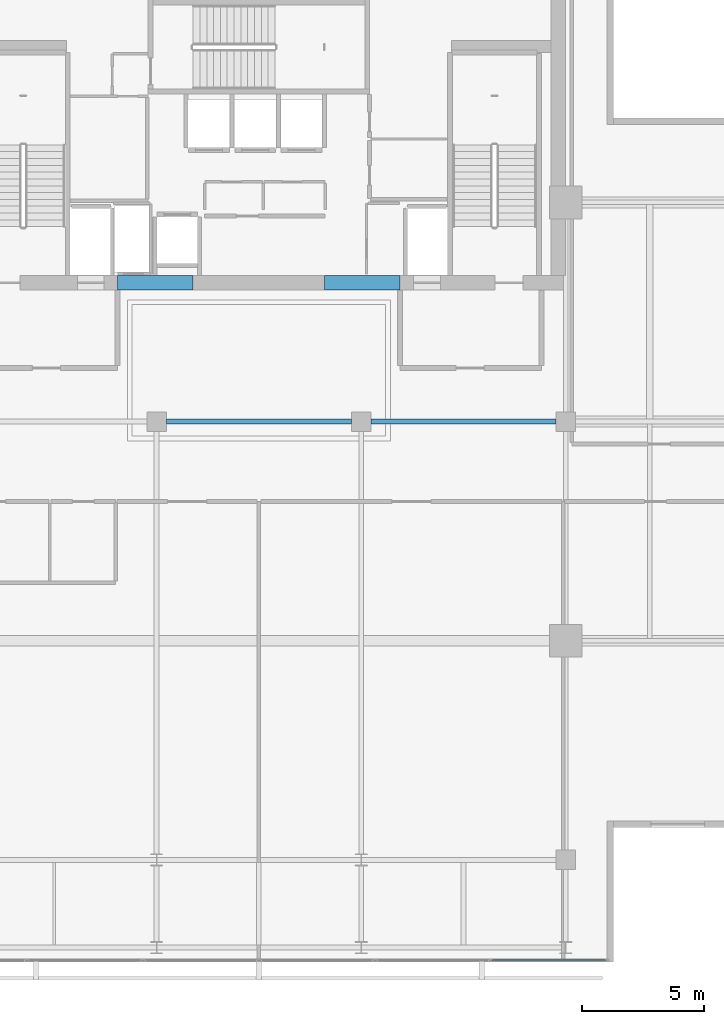
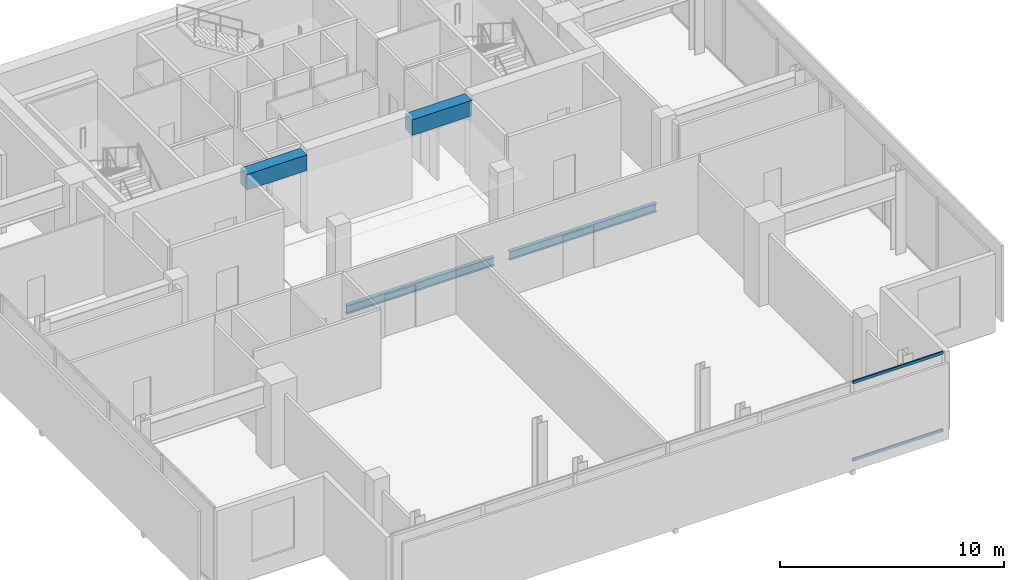
# One storey, part 10 of 23: 4 beams, 2 members, 1 element without a shape of its own.
"""IFC4 building model written with IfcOpenShell, lengths in metres."""

import ifcopenshell
import ifcopenshell.guid

model = None  # the IFC model being written
_history = None  # IfcOwnerHistory: only IFC2X3 demands one
_inside = {}  # id of a spatial element -> (the spatial element, [elements in it])
_under = {}  # id of a project, library or spatial element -> (it, [spatial elements below it])
_declared = {}  # id of a project -> (the project, [libraries it declares])
_typed = {}  # id of a type object -> (the type object, [elements of that type])
_made_of = {}  # id of a material, layer set ... -> (it, [elements and type objects made of it])


def new_model(schema):
    """Start an empty IFC model of exactly this schema.

    Asked for "IFC4X3", IfcOpenShell would pick the latest addendum, in which some entities
    have other attributes; the version numbers below select the first issue.
    IFC2X3 requires an IfcOwnerHistory on every rooted entity: one is made here for all.
    """
    global model, _history
    if schema == "IFC4X3":
        model = ifcopenshell.file(schema_version=(4, 3, 0, 0))
    else:
        model = ifcopenshell.file(schema=schema)
    _inside.clear()
    _under.clear()
    _declared.clear()
    _typed.clear()
    _made_of.clear()
    _history = None
    if model.schema == "IFC2X3":
        org = make("IfcOrganization", Name="unknown")
        user = make(
            "IfcPersonAndOrganization",
            ThePerson=make("IfcPerson", FamilyName="unknown"),
            TheOrganization=org,
        )
        app = make(
            "IfcApplication",
            ApplicationDeveloper=org,
            Version="unknown",
            ApplicationFullName="unknown",
            ApplicationIdentifier="unknown",
        )
        _history = make(
            "IfcOwnerHistory",
            OwningUser=user,
            OwningApplication=app,
            ChangeAction="ADDED",
            CreationDate=0,
        )
    return model


def make(cls, **values):
    """One entity of the class cls with the attributes given. An attribute that is None is left unset."""
    return model.create_entity(
        cls, **{name: value for name, value in values.items() if value is not None}
    )


def rooted(cls, **values):
    """An entity with a GlobalId (a new one), such as an element, a storey or a relation."""
    return make(cls, GlobalId=ifcopenshell.guid.new(), OwnerHistory=_history, **values)


def si_unit(unit_type, name, prefix=None):
    """IfcSIUnit, for example si_unit("LENGTHUNIT", "METRE", prefix="MILLI")."""
    return make("IfcSIUnit", UnitType=unit_type, Prefix=prefix, Name=name)


def assignment(units):
    """IfcUnitAssignment: the units of a project."""
    return None if units is None else make("IfcUnitAssignment", Units=units)


def point(xyz):
    """IfcCartesianPoint."""
    return None if xyz is None else make("IfcCartesianPoint", Coordinates=xyz)


def direction(xyz):
    """IfcDirection."""
    return None if xyz is None else make("IfcDirection", DirectionRatios=xyz)


def frame(location, z_axis=None, x_axis=None):
    """IfcAxis2Placement3D, a coordinate frame: its origin and axes. An axis left out is left unset."""
    return make(
        "IfcAxis2Placement3D",
        Location=point(location),
        Axis=direction(z_axis),
        RefDirection=direction(x_axis),
    )


def frame_2d(location, x_axis=None):
    """IfcAxis2Placement2D, a coordinate frame in the plane: its origin and x axis."""
    return make(
        "IfcAxis2Placement2D", Location=point(location), RefDirection=direction(x_axis)
    )


def origin():
    """The frame at (0, 0, 0) with its axes left unset."""
    return frame((0.0, 0.0, 0.0))


def origin_2d():
    """The frame at (0, 0) in the plane with its x axis left unset."""
    return frame_2d((0.0, 0.0))


def place(relative_to, where):
    """IfcLocalPlacement: puts the frame where relative to a parent placement (None: the world)."""
    return make(
        "IfcLocalPlacement", PlacementRelTo=relative_to, RelativePlacement=where
    )


def context(
    kind, dimensions, precision=None, world=None, true_north=None, identifier=None
):
    """IfcGeometricRepresentationContext, for example the 3D "Model" context."""
    return make(
        "IfcGeometricRepresentationContext",
        ContextIdentifier=identifier,
        ContextType=kind,
        CoordinateSpaceDimension=dimensions,
        Precision=precision,
        WorldCoordinateSystem=world,
        TrueNorth=true_north,
    )


def subcontext(parent, identifier, kind, view, scale=None):
    """IfcGeometricRepresentationSubContext, for example "Body" below "Model"."""
    return make(
        "IfcGeometricRepresentationSubContext",
        ContextIdentifier=identifier,
        ContextType=kind,
        ParentContext=parent,
        TargetScale=scale,
        TargetView=view,
    )


def project(units=None, contexts=None):
    """IfcProject with its units and contexts."""
    return rooted(
        "IfcProject",
        Name="project",
        RepresentationContexts=contexts,
        UnitsInContext=assignment(units),
    )


def spatial(cls, under=None, at=None, **own):
    """A site, building, storey or space (cls), placed at a placement, below another one or the project."""
    s = rooted(cls, ObjectPlacement=at, **own)
    if under is not None:
        _under.setdefault(under.id(), (under, []))[1].append(s)
    return s


def profile(cls, at=None, kind="AREA", **sizes):
    """A parametric profile (cls). Its sizes go by their IFC names, for example OverallWidth=200.0."""
    return make(cls, ProfileType=kind, Position=at, **sizes)


def rectangle(**sizes):
    """IfcRectangleProfileDef."""
    return profile("IfcRectangleProfileDef", **sizes)


def hollow_rectangle(**sizes):
    """IfcRectangleHollowProfileDef."""
    return profile("IfcRectangleHollowProfileDef", **sizes)


def i_section(**sizes):
    """IfcIShapeProfileDef."""
    return profile("IfcIShapeProfileDef", **sizes)


def extrude(swept, where, along, depth):
    """IfcExtrudedAreaSolid: the profile swept, set in the frame where, extruded along a direction by depth."""
    return make(
        "IfcExtrudedAreaSolid",
        SweptArea=swept,
        Position=where,
        ExtrudedDirection=direction(along),
        Depth=depth,
    )


def shape(context_of_items, identifier, shape_type, items):
    """IfcShapeRepresentation: the items that make up one representation, for example the "Body"."""
    return make(
        "IfcShapeRepresentation",
        ContextOfItems=context_of_items,
        RepresentationIdentifier=identifier,
        RepresentationType=shape_type,
        Items=items,
    )


def material(Name=None, Category=None):
    """IfcMaterial."""
    return make("IfcMaterial", Name=Name, Category=Category)


def layer(
    of_material, thickness, ventilated=None, Name=None, Category=None, Priority=None
):
    """IfcMaterialLayer: one layer of a wall or slab, of a material (None: an air gap)."""
    return make(
        "IfcMaterialLayer",
        Material=of_material,
        LayerThickness=thickness,
        IsVentilated=ventilated,
        Name=Name,
        Category=Category,
        Priority=Priority,
    )


def layer_set(layers, Name=None):
    """IfcMaterialLayerSet."""
    return make("IfcMaterialLayerSet", MaterialLayers=layers, LayerSetName=Name)


def material_profile(
    of_material, cross_section, Name=None, Category=None, Priority=None
):
    """IfcMaterialProfile: a cross section and its material."""
    return make(
        "IfcMaterialProfile",
        Name=Name,
        Material=of_material,
        Profile=cross_section,
        Priority=Priority,
        Category=Category,
    )


def profile_set(profiles, Name=None, composite=None):
    """IfcMaterialProfileSet."""
    return make(
        "IfcMaterialProfileSet",
        Name=Name,
        MaterialProfiles=profiles,
        CompositeProfile=composite,
    )


def made_of(thing, what):
    """Note that an element or type object is made of a material, layer set ...; save() writes the relation."""
    if what is not None:
        _made_of.setdefault(what.id(), (what, []))[1].append(thing)
    return thing


def type_object(cls, material=None, **own):
    """A type object (cls), such as IfcWallType, which elements share."""
    return made_of(rooted(cls, **own), material)


def element(
    cls,
    number,
    at=None,
    inside=None,
    cuts=None,
    type_object=None,
    material=None,
    context=None,
    identifier="Body",
    shape_type=None,
    held_by="IfcProductDefinitionShape",
    body=None,
    shapes=None,
    **own,
):
    """One element of the class cls, such as IfcWall. Its Tag is "e" and its number.

    at: its placement. inside: the storey or other place that contains it. cuts: it is an
    opening in that element (IfcRelVoidsElement). A single representation is given by context,
    identifier, shape_type and body (its items); several are given by shapes. held_by: the class
    of the entity that holds the representations. save() writes the other relations.
    """
    e = rooted(cls, Tag="e%d" % number, ObjectPlacement=at, **own)
    if body is not None:
        shapes = [shape(context, identifier, shape_type, body)]
    if shapes is not None:
        e.Representation = make(held_by, Representations=shapes)
    if inside is not None:
        _inside.setdefault(inside.id(), (inside, []))[1].append(e)
    if cuts is not None:
        rooted(
            "IfcRelVoidsElement", RelatingBuildingElement=cuts, RelatedOpeningElement=e
        )
    if type_object is not None:
        _typed.setdefault(type_object.id(), (type_object, []))[1].append(e)
    return made_of(e, material)


def aggregate(whole, parts):
    """IfcRelAggregates: a whole, such as a stair, and the parts it consists of."""
    return rooted("IfcRelAggregates", RelatingObject=whole, RelatedObjects=parts)


def save(model, path):
    """Write the relations noted so far, then the file.

    IfcRelAggregates (storeys below a building ...), IfcRelContainedInSpatialStructure (elements
    in a storey), IfcRelDefinesByType, IfcRelAssociatesMaterial and IfcRelDeclares: one each for
    every whole, place, type object, material and project.
    """
    for whole, parts in _under.values():
        aggregate(whole, parts)
    for where, things in _inside.values():
        rooted(
            "IfcRelContainedInSpatialStructure",
            RelatedElements=things,
            RelatingStructure=where,
        )
    for kind, things in _typed.values():
        rooted("IfcRelDefinesByType", RelatedObjects=things, RelatingType=kind)
    for what, things in _made_of.values():
        rooted("IfcRelAssociatesMaterial", RelatedObjects=things, RelatingMaterial=what)
    for by, libraries in _declared.values():
        rooted("IfcRelDeclares", RelatingContext=by, RelatedDefinitions=libraries)
    model.write(path)


model = new_model("IFC4")

# Units and contexts
model_context = context("Model", 3, precision=1e-05, world=origin(), true_north=direction((0.0, 1.0)))
body_context = subcontext(model_context, "Body", "Model", "MODEL_VIEW")
ifc_project = project(units=[si_unit("LENGTHUNIT", "METRE"), si_unit("AREAUNIT", "SQUARE_METRE"), si_unit("VOLUMEUNIT", "CUBIC_METRE"), si_unit("PLANEANGLEUNIT", "RADIAN"), si_unit("MASSUNIT", "GRAM", prefix="KILO")], contexts=[model_context])

# Site, building, storey
site_placement = place(None, origin())
site = spatial("IfcSite", under=ifc_project, at=site_placement, CompositionType="ELEMENT")
building_placement = place(site_placement, origin())
building = spatial("IfcBuilding", under=site, at=building_placement, Name="Maruvema Waterfront Hotel and Observation Tower", CompositionType="ELEMENT")
storey_placement = place(building_placement, frame((0.0, 0.0, 349.64990234375)))
storey = spatial("IfcBuildingStorey", under=building, at=storey_placement, Name="L86", CompositionType="ELEMENT", Elevation=349.64990234375)

# Beams
ifc_material_1 = material(Name="Concrete C60/75", Category="concrete")
ifc_material_profile_1 = material_profile(ifc_material_1, rectangle(XDim=0.60009765625, YDim=0.85009765625, at=origin_2d()), Name="CB600x850")
ifc_profile_set_1 = profile_set([ifc_material_profile_1], Name="Concrete C60/75")
beam_type_1 = type_object("IfcBeamType", Name="Core Coupling Lintel Beam CB600x850", PredefinedType="LINTEL", material=ifc_profile_set_1)
for number, where, z_axis, x_axis, name in (
    (1, (32.0, 41.699951171875, 3.864990234375), (1.0, 0.0, 0.0), (0.0, 1.0, 0.0), "L86 Core Coupling Lintel Beam West"),
    (2, (40.5, 41.699951171875, 3.864990234375), (1.0, 0.0, 0.0), (0.0, 1.0, 0.0), "L86 Core Coupling Lintel Beam East"),
):
    element("IfcBeam", number, at=place(storey_placement, frame(where, z_axis=z_axis, x_axis=x_axis)), inside=storey, type_object=beam_type_1, Name=name, PredefinedType="LINTEL", context=body_context, shape_type="SweptSolid", body=[
        extrude(rectangle(XDim=0.60009765625, YDim=0.85009765625, at=origin_2d()), origin(), (0.0, 0.0, 1.0), 3.10009765625),
    ])

# Curtain wall, members
ifc_material_2 = material(Name="Anodised bronze aluminium and solar-control low-E IGU", Category="aluminium")
ifc_layer = layer(ifc_material_2, 0.159912109375, Name="Observation Crown Structural Glazed Curtain Wall System CW-06")
ifc_layer_set = layer_set([ifc_layer], Name="Anodised bronze aluminium and solar-control low-E IGU")
curtain_wall_type = type_object("IfcCurtainWallType", Name="Observation Crown Structural Glazed Curtain Wall System CW-06", PredefinedType="USERDEFINED", material=ifc_layer_set)
curtain_wall_placement = place(storey_placement, origin())
curtain_wall = element("IfcCurtainWall", 3, at=curtain_wall_placement, inside=storey, type_object=curtain_wall_type, Name="L86 Curtain Wall CW-L86-S", ObjectType="UNITISED CURTAIN WALL", PredefinedType="USERDEFINED")
ifc_material_3 = material(Name="Anodised architectural bronze aluminium", Category="aluminium")
ifc_material_profile_2 = material_profile(ifc_material_3, hollow_rectangle(XDim=0.070068359375, YDim=0.14990234375, WallThickness=0.00390625, at=origin_2d()), Name="ALU-T70x150")
ifc_profile_set_2 = profile_set([ifc_material_profile_2], Name="Anodised architectural bronze aluminium")
member_type = type_object("IfcMemberType", Name="Curtain Wall Horizontal Transom ALU-T70x150", PredefinedType="USERDEFINED", material=ifc_profile_set_2)
member_1_placement = place(storey_placement, frame((47.36328125, 13.8798828125, 0.030029296875), z_axis=(1.0, 0.0, 0.0), x_axis=(0.0, 1.0, 0.0)))
member_1 = element("IfcMember", 4, at=member_1_placement, type_object=member_type, Name="CW-06 transom 6.1", ObjectType="TRANSOM", PredefinedType="USERDEFINED", context=body_context, shape_type="SweptSolid", body=[
    extrude(hollow_rectangle(XDim=0.070068359375, YDim=0.14990234375, WallThickness=0.00390625, at=origin_2d()), origin(), (0.0, 0.0, 1.0), 4.6767578125),
])
member_2_placement = place(storey_placement, frame((47.36328125, 13.8798828125, 4.260009765625), z_axis=(1.0, 0.0, 0.0), x_axis=(0.0, 1.0, 0.0)))
member_2 = element("IfcMember", 5, at=member_2_placement, type_object=member_type, Name="CW-06 transom 6.2", ObjectType="TRANSOM", PredefinedType="USERDEFINED", context=body_context, shape_type="SweptSolid", body=[
    extrude(hollow_rectangle(XDim=0.070068359375, YDim=0.14990234375, WallThickness=0.00390625, at=origin_2d()), origin(), (0.0, 0.0, 1.0), 4.6767578125),
])
aggregate(curtain_wall, [member_1, member_2])

# Beams
ifc_material_4 = material(Name="Steel ASTM A572 Grade 50", Category="steel")
ifc_material_profile_3 = material_profile(ifc_material_4, i_section(OverallWidth=0.194091796875, OverallDepth=0.468994140625, WebThickness=0.0126953125, FlangeThickness=0.0205078125, FilletRadius=0.014892578125, at=origin_2d()), Name="W460x106.0")
ifc_profile_set_3 = profile_set([ifc_material_profile_3], Name="Steel ASTM A572 Grade 50")
beam_type_2 = type_object("IfcBeamType", Name="Primary Floor Girder W460x106.0", PredefinedType="BEAM", material=ifc_profile_set_3)
for number, where, z_axis, x_axis, name in (
    (6, (34.0, 36.0, -0.474365234375), (1.0, 0.0, 0.0), (0.0, 1.0, 0.0), "L86 Floor Girder EW-12"),
    (7, (42.39990234375, 36.0, -0.474365234375), (1.0, 0.0, 0.0), (0.0, 1.0, 0.0), "L86 Floor Girder EW-13"),
):
    element("IfcBeam", number, at=place(storey_placement, frame(where, z_axis=z_axis, x_axis=x_axis)), inside=storey, type_object=beam_type_2, Name=name, PredefinedType="BEAM", context=body_context, shape_type="SweptSolid", body=[
        extrude(i_section(OverallWidth=0.194091796875, OverallDepth=0.468994140625, WebThickness=0.0126953125, FlangeThickness=0.0205078125, FilletRadius=0.014892578125, at=origin_2d()), origin(), (0.0, 0.0, 1.0), 7.60009765625),
    ])

save(model, "model.ifc")
